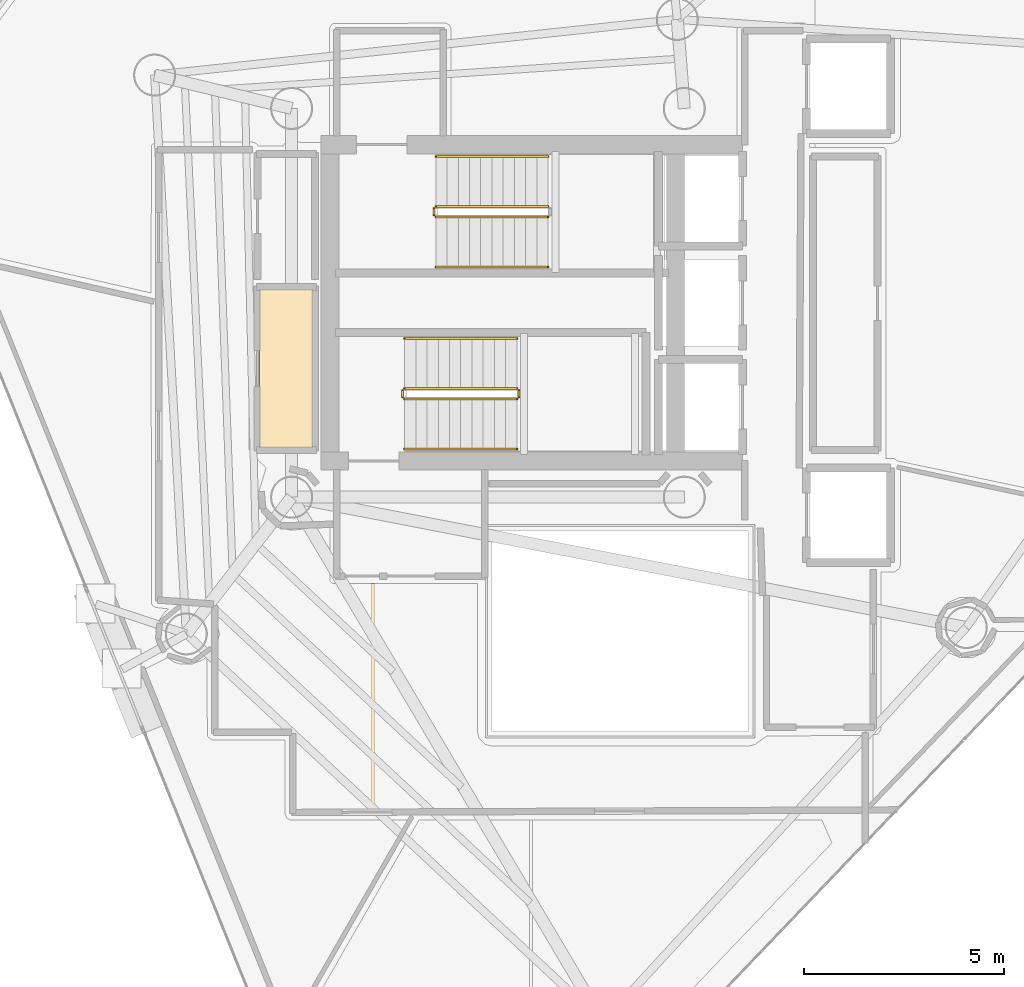
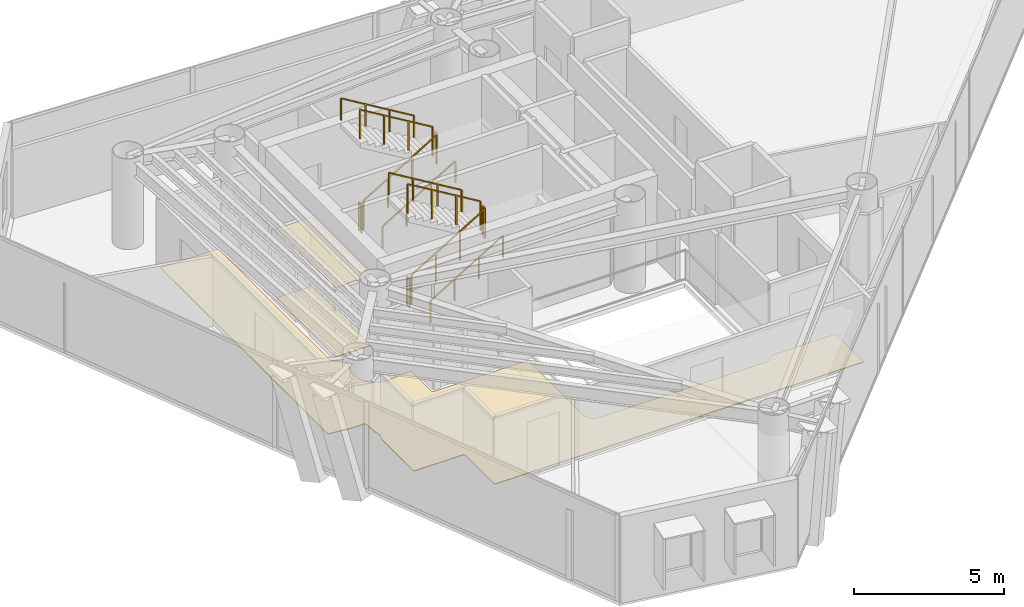
# One storey, part 19 of 21: 11 railings, 3 coverings.
"""IFC4 building model written with IfcOpenShell, lengths in metres."""

from ifc_helpers import new_model, si_unit, direction, frame, origin, origin_2d, place, context, subcontext, project, spatial, polyline, rectangle, outline, extrude, material, layer, layer_set, type_object, element, save


model = new_model("IFC4")

# Units and contexts
model_context = context("Model", 3, precision=1e-05, world=origin(), true_north=direction((0.0, 1.0)))
body_context = subcontext(model_context, "Body", "Model", "MODEL_VIEW")
ifc_project = project(units=[si_unit("LENGTHUNIT", "METRE"), si_unit("AREAUNIT", "SQUARE_METRE"), si_unit("VOLUMEUNIT", "CUBIC_METRE"), si_unit("PLANEANGLEUNIT", "RADIAN"), si_unit("MASSUNIT", "GRAM", prefix="KILO")], contexts=[model_context])

# Site, building, storey
site_placement = place(None, origin())
site = spatial("IfcSite", under=ifc_project, at=site_placement, CompositionType="ELEMENT")
building_placement = place(site_placement, origin())
building = spatial("IfcBuilding", under=site, at=building_placement, Name="Qianvela Tower", CompositionType="ELEMENT")
storey_placement = place(building_placement, frame((0.0, 0.0, 242.699951171875)))
storey = spatial("IfcBuildingStorey", under=building, at=storey_placement, Name="L62", CompositionType="ELEMENT", Elevation=242.699951171875)

# Coverings
ifc_material_1 = material(Name="Perforated Mineral Acoustic Ceiling Tile")
ifc_layer_1 = layer(ifc_material_1, 0.02490234375)
ifc_layer_set_1 = layer_set([ifc_layer_1], Name="Perforated Mineral Acoustic Ceiling Tile")
covering_type_1 = type_object("IfcCoveringType", Name="COV-CEIL-ACOUSTIC-25", PredefinedType="CEILING", material=ifc_layer_set_1)
covering_1_placement = place(storey_placement, frame((0.0, 0.0, 2.81494140625)))
element("IfcCovering", 1, at=covering_1_placement, inside=storey, type_object=covering_type_1, Name="L62 Acoustic Ceiling L62 Core Tea Pantry West", PredefinedType="CEILING", context=body_context, shape_type="SweptSolid", body=[
    extrude(outline(polyline([(27.800048828125, 25.080078125), (27.800048828125, 29.0400390625), (29.139892578125, 29.0400390625), (29.139892578125, 25.080078125), (27.800048828125, 25.080078125)])), origin(), (0.0, 0.0, 1.0), 0.025146484375),
])
ifc_material_2 = material(Name="Engineered Acoustic Oak Timber Flooring", Category="wood")
ifc_layer_2 = layer(ifc_material_2, 0.02001953125)
ifc_layer_set_2 = layer_set([ifc_layer_2], Name="Engineered Acoustic Oak Timber Flooring")
covering_type_2 = type_object("IfcCoveringType", Name="COV-FLOOR-OAK-20", PredefinedType="FLOORING", material=ifc_layer_set_2)
covering_2_placement = place(storey_placement, origin())
element("IfcCovering", 2, at=covering_2_placement, inside=storey, type_object=covering_type_2, Name="L62 Finish Flooring L62 Core Tea Pantry West", PredefinedType="FLOORING", context=body_context, shape_type="SweptSolid", body=[
    extrude(outline(polyline([(27.800048828125, 25.080078125), (27.800048828125, 29.0400390625), (29.139892578125, 29.0400390625), (29.139892578125, 25.080078125), (27.800048828125, 25.080078125)])), origin(), (0.0, 0.0, 1.0), 0.02001953125),
])
ifc_material_3 = material(Name="Honed Stone Terrazzo Flooring", Category="masonry")
ifc_layer_3 = layer(ifc_material_3, 0.030029296875)
ifc_layer_set_3 = layer_set([ifc_layer_3], Name="Honed Stone Terrazzo Flooring")
covering_type_3 = type_object("IfcCoveringType", Name="COV-FLOOR-TERRAZZO-30", PredefinedType="FLOORING", material=ifc_layer_set_3)
covering_3_placement = place(storey_placement, origin())
element("IfcCovering", 3, at=covering_3_placement, inside=storey, type_object=covering_type_3, Name="L62 Finish Flooring L62 Floor Corridor", PredefinedType="FLOORING", context=body_context, shape_type="SweptSolid", body=[
    extrude(outline(polyline([(27.792724609375, 24.0185546875), (27.791015625, 24.010986328125), (27.789794921875, 24.003173828125), (27.775390625, 23.85791015625), (27.77490234375, 23.85009765625), (27.775390625, 23.84228515625), (27.776611328125, 23.83447265625), (27.833251953125, 23.54931640625), (27.835205078125, 23.541748046875), (27.837890625, 23.5341796875), (27.84130859375, 23.527099609375), (27.84521484375, 23.5205078125), (28.006591796875, 23.27880859375), (28.011474609375, 23.2724609375), (28.0166015625, 23.2666015625), (28.0224609375, 23.261474609375), (28.02880859375, 23.256591796875), (28.2705078125, 23.09521484375), (28.277099609375, 23.09130859375), (28.2841796875, 23.087890625), (28.291748046875, 23.085205078125), (28.29931640625, 23.083251953125), (28.58447265625, 23.026611328125), (28.59228515625, 23.025390625), (28.60009765625, 23.02490234375), (28.60791015625, 23.025390625), (29.55810546875, 23.118896484375), (29.55810546875, 21.780029296875), (29.558349609375, 21.772216796875), (29.5595703125, 21.764404296875), (29.561279296875, 21.7568359375), (29.564208984375, 21.74951171875), (29.5673828125, 21.7421875), (29.571533203125, 21.735595703125), (29.576171875, 21.729248046875), (29.581298828125, 21.723388671875), (29.587158203125, 21.71826171875), (29.593505859375, 21.71337890625), (29.600341796875, 21.70947265625), (29.607421875, 21.7060546875), (29.61474609375, 21.703369140625), (29.622314453125, 21.701416015625), (29.630126953125, 21.700439453125), (29.637939453125, 21.699951171875), (33.239990234375, 21.699951171875), (33.239990234375, 18.0), (33.240478515625, 17.990234375), (33.242431640625, 17.980712890625), (33.275390625, 17.8486328125), (33.277587890625, 17.841796875), (33.2802734375, 17.8349609375), (33.283447265625, 17.82861328125), (33.287353515625, 17.822509765625), (33.29150390625, 17.81689453125), (33.29638671875, 17.811279296875), (33.411376953125, 17.696533203125), (33.41796875, 17.690673828125), (33.4248046875, 17.685791015625), (33.432373046875, 17.681396484375), (33.440185546875, 17.677978515625), (33.448486328125, 17.675537109375), (33.58056640625, 17.642333984375), (33.5869140625, 17.64111328125), (33.593505859375, 17.640380859375), (33.60009765625, 17.639892578125), (40.0, 17.639892578125), (40.006591796875, 17.640380859375), (40.012939453125, 17.64111328125), (40.019287109375, 17.642333984375), (40.1513671875, 17.675537109375), (40.15869140625, 17.677734375), (40.166015625, 17.6806640625), (40.172607421875, 17.68408203125), (40.17919921875, 17.6884765625), (40.459228515625, 17.89306640625), (42.8701171875, 17.89990234375), (42.8701171875, 16.043212890625), (42.857421875, 16.030029296875), (28.679931640625, 16.030029296875), (28.679931640625, 17.949951171875), (28.6796875, 17.957763671875), (28.678466796875, 17.965576171875), (28.676513671875, 17.97314453125), (28.673828125, 17.980712890625), (28.670654296875, 17.98779296875), (28.66650390625, 17.994384765625), (28.661865234375, 18.000732421875), (28.656494140625, 18.006591796875), (28.65087890625, 18.01171875), (28.644287109375, 18.0166015625), (28.6376953125, 18.0205078125), (28.630615234375, 18.02392578125), (28.623291015625, 18.026611328125), (28.615478515625, 18.028564453125), (28.60791015625, 18.029541015625), (28.60009765625, 18.030029296875), (26.72998046875, 18.030029296875), (26.72998046875, 20.123779296875), (26.795166015625, 20.419921875), (26.79638671875, 20.42822265625), (26.797119140625, 20.43701171875), (26.79638671875, 20.44580078125), (26.795166015625, 20.4541015625), (26.72998046875, 20.75), (26.72998046875, 21.14990234375), (26.7294921875, 21.15771484375), (26.728515625, 21.16552734375), (26.7265625, 21.173095703125), (26.723876953125, 21.1806640625), (26.720703125, 21.187744140625), (26.716552734375, 21.1943359375), (26.7119140625, 21.20068359375), (26.70654296875, 21.20654296875), (26.70068359375, 21.2119140625), (26.6943359375, 21.216552734375), (26.687744140625, 21.220703125), (26.6806640625, 21.223876953125), (26.673095703125, 21.2265625), (26.66552734375, 21.228515625), (26.65771484375, 21.2294921875), (26.64990234375, 21.22998046875), (26.18017578125, 21.22998046875), (25.330078125, 21.32470703125), (25.330078125, 32.469970703125), (27.5400390625, 32.469970703125), (27.5400390625, 25.066650390625), (27.540283203125, 25.05908203125), (27.54150390625, 25.051513671875), (27.543212890625, 25.044189453125), (27.545654296875, 25.037109375), (27.548583984375, 25.0302734375), (27.604736328125, 24.919921875), (27.6083984375, 24.91357421875), (27.612548828125, 24.90771484375), (27.6171875, 24.902099609375), (27.622314453125, 24.89697265625), (27.965087890625, 24.58642578125), (27.792724609375, 24.0185546875)])), origin(), (0.0, 0.0, 1.0), 0.030029296875),
])

# Railings
ifc_material_4 = material(Name="Painted Tubular Steel Q355B", Category="steel")
railing_type_1 = type_object("IfcRailingType", Name="RL-STAIR-GUARD-1200", PredefinedType="GUARDRAIL", material=ifc_material_4)
railing_1_placement = place(storey_placement, frame((32.199951171875, 30.840087890625, 0.168212890625)))
element("IfcRailing", 4, at=railing_1_placement, inside=storey, type_object=railing_type_1, Name="L62 ST-1 stair guard 1", PredefinedType="GUARDRAIL", context=body_context, shape_type="SweptSolid", body=[
    extrude(rectangle(XDim=0.050048828125, YDim=0.0400390625, at=origin_2d()), frame((0.0, 0.0, 1.179931640625), z_axis=(0.857242210791, 0.0, 0.514913383045), x_axis=(0.0, 1.0, 0.0)), (0.0, 0.0, 1.0), 3.266357421875),
    extrude(rectangle(XDim=0.050048828125, YDim=0.050048828125, at=origin_2d()), origin(), (0.0, 0.0, 1.0), 1.159912109375),
    extrude(rectangle(XDim=0.050048828125, YDim=0.050048828125, at=origin_2d()), frame((0.933349609375, 0.0, 0.560546875)), (0.0, 0.0, 1.0), 1.159912109375),
    extrude(rectangle(XDim=0.050048828125, YDim=0.050048828125, at=origin_2d()), frame((1.86669921875, 0.0, 1.121337890625)), (0.0, 0.0, 1.0), 1.159912109375),
    extrude(rectangle(XDim=0.050048828125, YDim=0.050048828125, at=origin_2d()), frame((2.800048828125, 0.0, 1.681884765625)), (0.0, 0.0, 1.0), 1.159912109375),
])
railing_2_placement = place(storey_placement, frame((35.0, 31.10009765625, 2.018310546875)))
element("IfcRailing", 5, at=railing_2_placement, inside=storey, type_object=railing_type_1, Name="L62 ST-1 stair guard 3", PredefinedType="GUARDRAIL", context=body_context, shape_type="SweptSolid", body=[
    extrude(rectangle(XDim=0.050048828125, YDim=0.0400390625, at=origin_2d()), frame((0.0, 0.0, 1.179931640625), z_axis=(-0.857275202839, 0.0, 0.514858452973), x_axis=(0.0, -1.0, 0.0)), (0.0, 0.0, 1.0), 3.26611328125),
    extrude(rectangle(XDim=0.050048828125, YDim=0.050048828125, at=origin_2d()), origin(), (0.0, 0.0, 1.0), 1.159912109375),
    extrude(rectangle(XDim=0.050048828125, YDim=0.050048828125, at=origin_2d()), frame((-0.933349609375, 0.0, 0.560546875)), (0.0, 0.0, 1.0), 1.159912109375),
    extrude(rectangle(XDim=0.050048828125, YDim=0.050048828125, at=origin_2d()), frame((-1.86669921875, 0.0, 1.12109375)), (0.0, 0.0, 1.0), 1.159912109375),
    extrude(rectangle(XDim=0.050048828125, YDim=0.050048828125, at=origin_2d()), frame((-2.800048828125, 0.0, 1.681640625)), (0.0, 0.0, 1.0), 1.159912109375),
])
railing_3_placement = place(storey_placement, frame((32.14990234375, 30.889892578125, 0.0)))
element("IfcRailing", 6, at=railing_3_placement, inside=storey, type_object=railing_type_1, Name="L62 ST-1 stair guard 4", PredefinedType="GUARDRAIL", context=body_context, shape_type="SweptSolid", body=[
    extrude(rectangle(XDim=0.050048828125, YDim=0.0400390625, at=origin_2d()), frame((0.0, 0.0, 1.179931640625), z_axis=(0.0, 1.0, 0.0), x_axis=(-1.0, 0.0, 0.0)), (0.0, 0.0, 1.0), 0.16015625),
    extrude(rectangle(XDim=0.050048828125, YDim=0.050048828125, at=origin_2d()), origin(), (0.0, 0.0, 1.0), 1.159912109375),
    extrude(rectangle(XDim=0.050048828125, YDim=0.050048828125, at=origin_2d()), frame((0.0, 0.16015625, 0.0)), (0.0, 0.0, 1.0), 1.159912109375),
])
railing_4_placement = place(storey_placement, frame((31.419921875, 26.300048828125, 0.168212890625)))
element("IfcRailing", 7, at=railing_4_placement, inside=storey, type_object=railing_type_1, Name="L62 ST-2 stair guard 1", PredefinedType="GUARDRAIL", context=body_context, shape_type="SweptSolid", body=[
    extrude(rectangle(XDim=0.050048828125, YDim=0.0400390625, at=origin_2d()), frame((0.0, 0.0, 1.179931640625), z_axis=(0.857242210791, 0.0, 0.514913383045), x_axis=(0.0, 1.0, 0.0)), (0.0, 0.0, 1.0), 3.266357421875),
    extrude(rectangle(XDim=0.050048828125, YDim=0.050048828125, at=origin_2d()), origin(), (0.0, 0.0, 1.0), 1.159912109375),
    extrude(rectangle(XDim=0.050048828125, YDim=0.050048828125, at=origin_2d()), frame((0.933349609375, 0.0, 0.560546875)), (0.0, 0.0, 1.0), 1.159912109375),
    extrude(rectangle(XDim=0.050048828125, YDim=0.050048828125, at=origin_2d()), frame((1.86669921875, 0.0, 1.121337890625)), (0.0, 0.0, 1.0), 1.159912109375),
    extrude(rectangle(XDim=0.050048828125, YDim=0.050048828125, at=origin_2d()), frame((2.800048828125, 0.0, 1.681884765625)), (0.0, 0.0, 1.0), 1.159912109375),
])
railing_5_placement = place(storey_placement, frame((34.27001953125, 26.35009765625, 1.85009765625)))
element("IfcRailing", 8, at=railing_5_placement, inside=storey, type_object=railing_type_1, Name="L62 ST-2 stair guard 2", PredefinedType="GUARDRAIL", context=body_context, shape_type="SweptSolid", body=[
    extrude(rectangle(XDim=0.050048828125, YDim=0.0400390625, at=origin_2d()), frame((0.0, 0.0, 1.179931640625), z_axis=(0.0, 1.0, 0.0), x_axis=(-1.0, 0.0, 0.0)), (0.0, 0.0, 1.0), 0.159912109375),
    extrude(rectangle(XDim=0.050048828125, YDim=0.050048828125, at=origin_2d()), origin(), (0.0, 0.0, 1.0), 1.159912109375),
    extrude(rectangle(XDim=0.050048828125, YDim=0.050048828125, at=origin_2d()), frame((0.0, 0.159912109375, 0.0)), (0.0, 0.0, 1.0), 1.159912109375),
])
railing_6_placement = place(storey_placement, frame((34.219970703125, 26.56005859375, 2.018310546875)))
element("IfcRailing", 9, at=railing_6_placement, inside=storey, type_object=railing_type_1, Name="L62 ST-2 stair guard 3", PredefinedType="GUARDRAIL", context=body_context, shape_type="SweptSolid", body=[
    extrude(rectangle(XDim=0.050048828125, YDim=0.0400390625, at=origin_2d()), frame((0.0, 0.0, 1.179931640625), z_axis=(-0.857275202839, 0.0, 0.514858452973), x_axis=(0.0, -1.0, 0.0)), (0.0, 0.0, 1.0), 3.26611328125),
    extrude(rectangle(XDim=0.050048828125, YDim=0.050048828125, at=origin_2d()), origin(), (0.0, 0.0, 1.0), 1.159912109375),
    extrude(rectangle(XDim=0.050048828125, YDim=0.050048828125, at=origin_2d()), frame((-0.933349609375, 0.0, 0.560546875)), (0.0, 0.0, 1.0), 1.159912109375),
    extrude(rectangle(XDim=0.050048828125, YDim=0.050048828125, at=origin_2d()), frame((-1.86669921875, 0.0, 1.12109375)), (0.0, 0.0, 1.0), 1.159912109375),
    extrude(rectangle(XDim=0.050048828125, YDim=0.050048828125, at=origin_2d()), frame((-2.800048828125, 0.0, 1.681640625)), (0.0, 0.0, 1.0), 1.159912109375),
])
railing_7_placement = place(storey_placement, frame((31.3701171875, 26.35009765625, 0.0)))
element("IfcRailing", 10, at=railing_7_placement, inside=storey, type_object=railing_type_1, Name="L62 ST-2 stair guard 4", PredefinedType="GUARDRAIL", context=body_context, shape_type="SweptSolid", body=[
    extrude(rectangle(XDim=0.050048828125, YDim=0.0400390625, at=origin_2d()), frame((0.0, 0.0, 1.179931640625), z_axis=(0.0, 1.0, 0.0), x_axis=(-1.0, 0.0, 0.0)), (0.0, 0.0, 1.0), 0.159912109375),
    extrude(rectangle(XDim=0.050048828125, YDim=0.050048828125, at=origin_2d()), origin(), (0.0, 0.0, 1.0), 1.159912109375),
    extrude(rectangle(XDim=0.050048828125, YDim=0.050048828125, at=origin_2d()), frame((0.0, 0.159912109375, 0.0)), (0.0, 0.0, 1.0), 1.159912109375),
])
ifc_material_5 = material(Name="Brushed Stainless Steel 304", Category="steel")
railing_type_2 = type_object("IfcRailingType", Name="RL-STAIR-HANDRAIL-900", PredefinedType="HANDRAIL", material=ifc_material_5)
railing_8_placement = place(storey_placement, frame((32.199951171875, 29.590087890625, 0.168212890625)))
element("IfcRailing", 11, at=railing_8_placement, inside=storey, type_object=railing_type_2, Name="L62 ST-1 stair handrail 1", PredefinedType="HANDRAIL", context=body_context, shape_type="SweptSolid", body=[
    extrude(rectangle(XDim=0.050048828125, YDim=0.0400390625, at=origin_2d()), frame((0.0, 0.0, 0.8798828125), z_axis=(0.857242210791, 0.0, 0.514913383045), x_axis=(0.0, 1.0, 0.0)), (0.0, 0.0, 1.0), 3.266357421875),
    extrude(rectangle(XDim=0.050048828125, YDim=0.050048828125, at=origin_2d()), origin(), (0.0, 0.0, 1.0), 0.85986328125),
    extrude(rectangle(XDim=0.050048828125, YDim=0.050048828125, at=origin_2d()), frame((0.933349609375, 0.0, 0.560546875)), (0.0, 0.0, 1.0), 0.85986328125),
    extrude(rectangle(XDim=0.050048828125, YDim=0.050048828125, at=origin_2d()), frame((1.86669921875, 0.0, 1.121337890625)), (0.0, 0.0, 1.0), 0.85986328125),
    extrude(rectangle(XDim=0.050048828125, YDim=0.050048828125, at=origin_2d()), frame((2.800048828125, 0.0, 1.681884765625)), (0.0, 0.0, 1.0), 0.85986328125),
])
railing_9_placement = place(storey_placement, frame((35.0, 32.35009765625, 2.018310546875)))
element("IfcRailing", 12, at=railing_9_placement, inside=storey, type_object=railing_type_2, Name="L62 ST-1 stair handrail 2", PredefinedType="HANDRAIL", context=body_context, shape_type="SweptSolid", body=[
    extrude(rectangle(XDim=0.050048828125, YDim=0.0400390625, at=origin_2d()), frame((0.0, 0.0, 0.8798828125), z_axis=(-0.857275202839, 0.0, 0.514858452973), x_axis=(0.0, -1.0, 0.0)), (0.0, 0.0, 1.0), 3.26611328125),
    extrude(rectangle(XDim=0.050048828125, YDim=0.050048828125, at=origin_2d()), origin(), (0.0, 0.0, 1.0), 0.85986328125),
    extrude(rectangle(XDim=0.050048828125, YDim=0.050048828125, at=origin_2d()), frame((-0.933349609375, 0.0, 0.560546875)), (0.0, 0.0, 1.0), 0.85986328125),
    extrude(rectangle(XDim=0.050048828125, YDim=0.050048828125, at=origin_2d()), frame((-1.86669921875, 0.0, 1.12109375)), (0.0, 0.0, 1.0), 0.85986328125),
    extrude(rectangle(XDim=0.050048828125, YDim=0.050048828125, at=origin_2d()), frame((-2.800048828125, 0.0, 1.681640625)), (0.0, 0.0, 1.0), 0.85986328125),
])
railing_10_placement = place(storey_placement, frame((31.419921875, 25.050048828125, 0.168212890625)))
element("IfcRailing", 13, at=railing_10_placement, inside=storey, type_object=railing_type_2, Name="L62 ST-2 stair handrail 1", PredefinedType="HANDRAIL", context=body_context, shape_type="SweptSolid", body=[
    extrude(rectangle(XDim=0.050048828125, YDim=0.0400390625, at=origin_2d()), frame((0.0, 0.0, 0.8798828125), z_axis=(0.857242210791, 0.0, 0.514913383045), x_axis=(0.0, 1.0, 0.0)), (0.0, 0.0, 1.0), 3.266357421875),
    extrude(rectangle(XDim=0.050048828125, YDim=0.050048828125, at=origin_2d()), origin(), (0.0, 0.0, 1.0), 0.85986328125),
    extrude(rectangle(XDim=0.050048828125, YDim=0.050048828125, at=origin_2d()), frame((0.933349609375, 0.0, 0.560546875)), (0.0, 0.0, 1.0), 0.85986328125),
    extrude(rectangle(XDim=0.050048828125, YDim=0.050048828125, at=origin_2d()), frame((1.86669921875, 0.0, 1.121337890625)), (0.0, 0.0, 1.0), 0.85986328125),
    extrude(rectangle(XDim=0.050048828125, YDim=0.050048828125, at=origin_2d()), frame((2.800048828125, 0.0, 1.681884765625)), (0.0, 0.0, 1.0), 0.85986328125),
])
railing_11_placement = place(storey_placement, frame((34.219970703125, 27.81005859375, 2.018310546875)))
element("IfcRailing", 14, at=railing_11_placement, inside=storey, type_object=railing_type_2, Name="L62 ST-2 stair handrail 2", PredefinedType="HANDRAIL", context=body_context, shape_type="SweptSolid", body=[
    extrude(rectangle(XDim=0.050048828125, YDim=0.0400390625, at=origin_2d()), frame((0.0, 0.0, 0.8798828125), z_axis=(-0.857275202839, 0.0, 0.514858452973), x_axis=(0.0, -1.0, 0.0)), (0.0, 0.0, 1.0), 3.26611328125),
    extrude(rectangle(XDim=0.050048828125, YDim=0.050048828125, at=origin_2d()), origin(), (0.0, 0.0, 1.0), 0.85986328125),
    extrude(rectangle(XDim=0.050048828125, YDim=0.050048828125, at=origin_2d()), frame((-0.933349609375, 0.0, 0.560546875)), (0.0, 0.0, 1.0), 0.85986328125),
    extrude(rectangle(XDim=0.050048828125, YDim=0.050048828125, at=origin_2d()), frame((-1.86669921875, 0.0, 1.12109375)), (0.0, 0.0, 1.0), 0.85986328125),
    extrude(rectangle(XDim=0.050048828125, YDim=0.050048828125, at=origin_2d()), frame((-2.800048828125, 0.0, 1.681640625)), (0.0, 0.0, 1.0), 0.85986328125),
])

save(model, "model.ifc")
